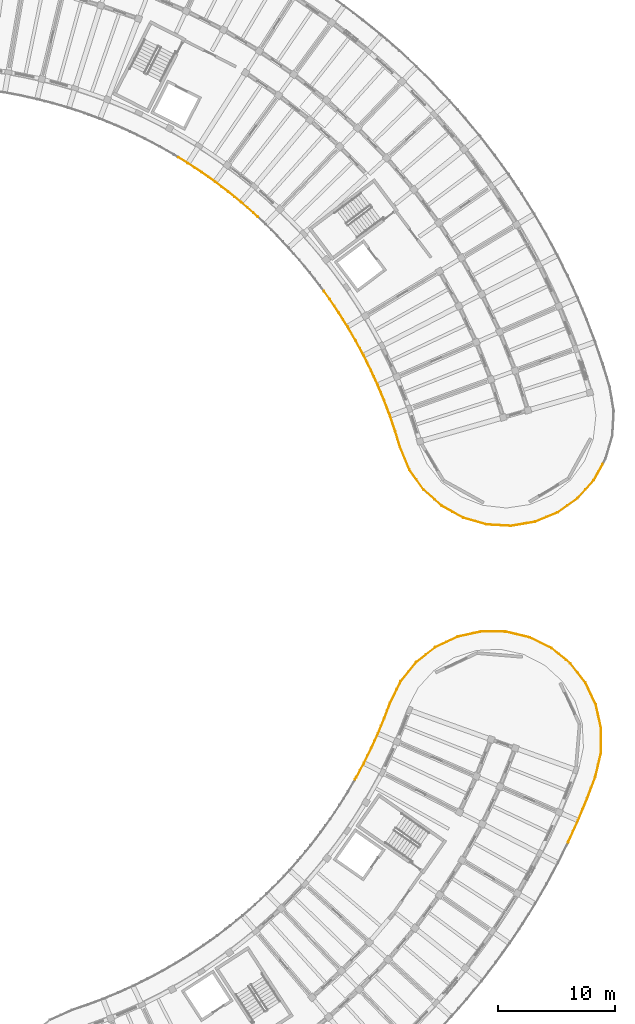
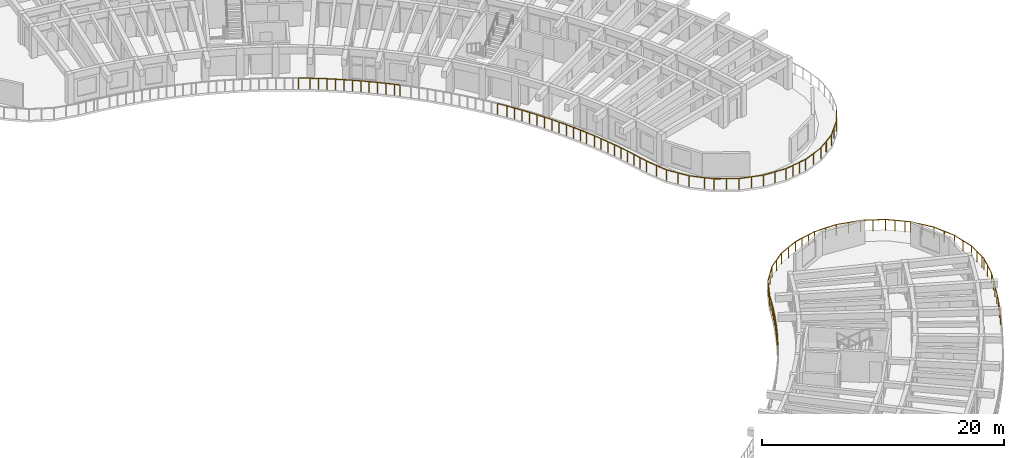
# One storey, part 74 of 78: 11 railings.
"""IFC4 building model written with IfcOpenShell, lengths in metres."""

from ifc_helpers import new_model, si_unit, direction, frame, origin, origin_2d, place, context, subcontext, project, spatial, circle, extrude, material, type_object, element, save


model = new_model("IFC4")

# Units and contexts
model_context = context("Model", 3, precision=1e-05, world=origin(), true_north=direction((0.0, 1.0)))
body_context = subcontext(model_context, "Body", "Model", "MODEL_VIEW")
ifc_project = project(units=[si_unit("LENGTHUNIT", "METRE"), si_unit("AREAUNIT", "SQUARE_METRE"), si_unit("VOLUMEUNIT", "CUBIC_METRE"), si_unit("PLANEANGLEUNIT", "RADIAN"), si_unit("MASSUNIT", "GRAM", prefix="KILO")], contexts=[model_context])

# Site, building, storey
site_placement = place(None, origin())
site = spatial("IfcSite", under=ifc_project, at=site_placement, CompositionType="ELEMENT")
building_placement = place(site_placement, origin())
building = spatial("IfcBuilding", under=site, at=building_placement, Name="Tanwirah Colonnade Gardens", CompositionType="ELEMENT")
storey_placement = place(building_placement, frame((0.0, 0.0, 22.280029296875)))
storey = spatial("IfcBuildingStorey", under=building, at=storey_placement, Name="L06", CompositionType="ELEMENT", Elevation=22.280029296875)

# Railings
ifc_material = material(Name="Precast concrete C40/50", Category="concrete")
railing_type_1 = type_object("IfcRailingType", Name="BAL-EXT110", PredefinedType="BALUSTRADE", material=ifc_material)
railing_1_placement = place(storey_placement, frame((158.178466796875, 43.545654296875, 0.0)))
element("IfcRailing", 1, at=railing_1_placement, inside=storey, type_object=railing_type_1, Name="Block D L06 Balcony Ribbon Balustrade 5", PredefinedType="BALUSTRADE", context=body_context, shape_type="SweptSolid", body=[
    extrude(circle(Radius=0.02392578125, at=origin_2d()), frame((0.015625, 0.027099609375, 1.076171875), z_axis=(0.501683005356, 0.865051537272, 0.0), x_axis=(-0.865051537272, 0.501683005356, 0.0)), (0.0, 0.0, 1.0), 0.145751953125),
    extrude(circle(Radius=0.02392578125, at=origin_2d()), frame((0.120361328125, 0.2099609375, 1.076171875), z_axis=(0.472323466806, 0.881425290484, 0.0), x_axis=(-0.881425290484, 0.472323466806, 0.0)), (0.0, 0.0, 1.0), 1.33154296875),
    extrude(circle(Radius=0.02392578125, at=origin_2d()), frame((0.779296875, 1.441650390625, 1.076171875), z_axis=(0.443286097627, 0.896380184771, 0.0), x_axis=(-0.896380184771, 0.443286097627, 0.0)), (0.0, 0.0, 1.0), 1.33154296875),
    extrude(circle(Radius=0.02392578125, at=origin_2d()), frame((1.3974609375, 2.694091796875, 1.076171875), z_axis=(0.413697373423, 0.91041445684, 0.0), x_axis=(-0.91041445684, 0.413697373423, 0.0)), (0.0, 0.0, 1.0), 1.331298828125),
    extrude(circle(Radius=0.02392578125, at=origin_2d()), frame((1.97412109375, 3.9658203125, 1.076171875), z_axis=(0.383707429873, 0.923454713703, 0.0), x_axis=(-0.923454713703, 0.383707429873, 0.0)), (0.0, 0.0, 1.0), 1.33154296875),
    extrude(circle(Radius=0.02392578125, at=origin_2d()), frame((2.509033203125, 5.256103515625, 1.076171875), z_axis=(0.353181976467, 0.93555464378, 0.0), x_axis=(-0.93555464378, 0.353181976467, 0.0)), (0.0, 0.0, 1.0), 1.32763671875),
    extrude(circle(Radius=0.02392578125, at=origin_2d()), frame((3.0029296875, 6.555419921875, 1.076171875), z_axis=(0.44125089624, 0.897383778863, 0.0), x_axis=(-0.897383778863, 0.44125089624, 0.0)), (0.0, 0.0, 1.0), 1.25),
    extrude(circle(Radius=0.02099609375, at=origin_2d()), origin(), (0.0, 0.0, 1.0), 1.049072265625),
    extrude(circle(Radius=0.02099609375, at=origin_2d()), frame((0.1044921875, 0.18017578125, 0.0)), (0.0, 0.0, 1.0), 1.049072265625),
    extrude(circle(Radius=0.02099609375, at=origin_2d()), frame((0.43505859375, 0.796875, 0.0)), (0.0, 0.0, 1.0), 1.049072265625),
    extrude(circle(Radius=0.02099609375, at=origin_2d()), frame((0.76416015625, 1.4111328125, 0.0)), (0.0, 0.0, 1.0), 1.049072265625),
    extrude(circle(Radius=0.02099609375, at=origin_2d()), frame((1.07421875, 2.038330078125, 0.0)), (0.0, 0.0, 1.0), 1.049072265625),
    extrude(circle(Radius=0.02099609375, at=origin_2d()), frame((1.38330078125, 2.6630859375, 0.0)), (0.0, 0.0, 1.0), 1.049072265625),
    extrude(circle(Radius=0.02099609375, at=origin_2d()), frame((1.6728515625, 3.300048828125, 0.0)), (0.0, 0.0, 1.0), 1.049072265625),
    extrude(circle(Radius=0.02099609375, at=origin_2d()), frame((1.961181640625, 3.9345703125, 0.0)), (0.0, 0.0, 1.0), 1.049072265625),
    extrude(circle(Radius=0.02099609375, at=origin_2d()), frame((2.2294921875, 4.58056640625, 0.0)), (0.0, 0.0, 1.0), 1.049072265625),
    extrude(circle(Radius=0.02099609375, at=origin_2d()), frame((2.4970703125, 5.224365234375, 0.0)), (0.0, 0.0, 1.0), 1.049072265625),
    extrude(circle(Radius=0.02099609375, at=origin_2d()), frame((2.74365234375, 5.876953125, 0.0)), (0.0, 0.0, 1.0), 1.049072265625),
    extrude(circle(Radius=0.02099609375, at=origin_2d()), frame((2.989013671875, 6.52734375, 0.0)), (0.0, 0.0, 1.0), 1.049072265625),
    extrude(circle(Radius=0.02099609375, at=origin_2d()), frame((3.568115234375, 7.705078125, 0.0)), (0.0, 0.0, 1.0), 1.049072265625),
])
railing_2_placement = place(storey_placement, frame((161.74658203125, 51.250732421875, 0.0)))
element("IfcRailing", 2, at=railing_2_placement, inside=storey, type_object=railing_type_1, Name="Block D L06 Balcony Ribbon Balustrade 6", PredefinedType="BALUSTRADE", context=body_context, shape_type="SweptSolid", body=[
    extrude(circle(Radius=0.02392578125, at=origin_2d()), frame((0.013671875, 0.028076171875, 1.076171875), z_axis=(0.441191514806, 0.897412974758, 0.0), x_axis=(-0.897412974758, 0.441191514806, 0.0)), (0.0, 0.0, 1.0), 0.71728515625),
    extrude(circle(Radius=0.02392578125, at=origin_2d()), frame((0.36376953125, 0.723876953125, 1.076171875), z_axis=(0.629803866287, 0.776754201798, 0.0), x_axis=(-0.776754201798, 0.629803866287, 0.0)), (0.0, 0.0, 1.0), 2.024169921875),
    extrude(circle(Radius=0.02392578125, at=origin_2d()), frame((1.682861328125, 2.33984375, 1.076171875), z_axis=(0.786813317516, 0.617191059057, 0.0), x_axis=(-0.617191059057, 0.786813317516, 0.0)), (0.0, 0.0, 1.0), 2.0244140625),
    extrude(circle(Radius=0.02392578125, at=origin_2d()), frame((3.32861328125, 3.6220703125, 1.076171875), z_axis=(0.904484386401, 0.426506734715, 0.0), x_axis=(-0.426506734715, 0.904484386401, 0.0)), (0.0, 0.0, 1.0), 2.0244140625),
    extrude(circle(Radius=0.02392578125, at=origin_2d()), frame((5.218505859375, 4.50537109375, 1.076171875), z_axis=(0.976699893603, 0.214609687188, 0.0), x_axis=(-0.214609687188, 0.976699893603, 0.0)), (0.0, 0.0, 1.0), 1.39697265625),
    extrude(circle(Radius=0.02099609375, at=origin_2d()), origin(), (0.0, 0.0, 1.0), 1.049072265625),
    extrude(circle(Radius=0.02099609375, at=origin_2d()), frame((0.343994140625, 0.69970703125, 0.0)), (0.0, 0.0, 1.0), 1.049072265625),
    extrude(circle(Radius=0.02099609375, at=origin_2d()), frame((1.0009765625, 1.51025390625, 0.0)), (0.0, 0.0, 1.0), 1.049072265625),
    extrude(circle(Radius=0.02099609375, at=origin_2d()), frame((1.658203125, 2.320556640625, 0.0)), (0.0, 0.0, 1.0), 1.049072265625),
    extrude(circle(Radius=0.02099609375, at=origin_2d()), frame((2.479248046875, 2.964599609375, 0.0)), (0.0, 0.0, 1.0), 1.049072265625),
    extrude(circle(Radius=0.02099609375, at=origin_2d()), frame((3.30029296875, 3.608642578125, 0.0)), (0.0, 0.0, 1.0), 1.049072265625),
    extrude(circle(Radius=0.02099609375, at=origin_2d()), frame((4.244140625, 4.0537109375, 0.0)), (0.0, 0.0, 1.0), 1.049072265625),
    extrude(circle(Radius=0.02099609375, at=origin_2d()), frame((5.18798828125, 4.498779296875, 0.0)), (0.0, 0.0, 1.0), 1.049072265625),
    extrude(circle(Radius=0.02099609375, at=origin_2d()), frame((5.90087890625, 4.6552734375, 0.0)), (0.0, 0.0, 1.0), 1.049072265625),
    extrude(circle(Radius=0.02099609375, at=origin_2d()), frame((6.613525390625, 4.81201171875, 0.0)), (0.0, 0.0, 1.0), 1.049072265625),
])
railing_3_placement = place(storey_placement, frame((168.360107421875, 56.062744140625, 0.0)))
element("IfcRailing", 3, at=railing_3_placement, inside=storey, type_object=railing_type_1, Name="Block D L06 Balcony Ribbon Balustrade 7", PredefinedType="BALUSTRADE", context=body_context, shape_type="SweptSolid", body=[
    extrude(circle(Radius=0.02392578125, at=origin_2d()), frame((0.030517578125, 0.006591796875, 1.076171875), z_axis=(0.976742355466, 0.214416349746, 0.0), x_axis=(-0.214416349746, 0.976742355466, 0.0)), (0.0, 0.0, 1.0), 0.56494140625),
    extrude(circle(Radius=0.02392578125, at=origin_2d()), frame((0.64404296875, 0.13427734375, 1.076171875), z_axis=(0.999967414863, -0.008072745013, 0.0), x_axis=(0.008072745013, 0.999967414863, 0.0)), (0.0, 0.0, 1.0), 2.024169921875),
    extrude(circle(Radius=0.02392578125, at=origin_2d()), frame((2.72998046875, 0.110595703125, 1.076171875), z_axis=(0.973107897392, -0.230349777586, 0.0), x_axis=(0.230349777586, 0.973107897392, 0.0)), (0.0, 0.0, 1.0), 2.0244140625),
    extrude(circle(Radius=0.02392578125, at=origin_2d()), frame((4.75830078125, -0.376953125, 1.076171875), z_axis=(0.897378823962, -0.441260973013, 0.0), x_axis=(0.441260973013, 0.897378823962, 0.0)), (0.0, 0.0, 1.0), 2.0244140625),
    extrude(circle(Radius=0.02392578125, at=origin_2d()), frame((6.627197265625, -1.3037109375, 1.076171875), z_axis=(0.77680380567, -0.629742683559, 0.0), x_axis=(0.629742683559, 0.77680380567, 0.0)), (0.0, 0.0, 1.0), 1.549560546875),
    extrude(circle(Radius=0.02099609375, at=origin_2d()), origin(), (0.0, 0.0, 1.0), 1.049072265625),
    extrude(circle(Radius=0.02099609375, at=origin_2d()), frame((0.61279296875, 0.134521484375, 0.0)), (0.0, 0.0, 1.0), 1.049072265625),
    extrude(circle(Radius=0.02099609375, at=origin_2d()), frame((1.65625, 0.1259765625, 0.0)), (0.0, 0.0, 1.0), 1.049072265625),
    extrude(circle(Radius=0.02099609375, at=origin_2d()), frame((2.699462890625, 0.11767578125, 0.0)), (0.0, 0.0, 1.0), 1.049072265625),
    extrude(circle(Radius=0.02099609375, at=origin_2d()), frame((3.71484375, -0.12255859375, 0.0)), (0.0, 0.0, 1.0), 1.049072265625),
    extrude(circle(Radius=0.02099609375, at=origin_2d()), frame((4.730224609375, -0.363037109375, 0.0)), (0.0, 0.0, 1.0), 1.049072265625),
    extrude(circle(Radius=0.02099609375, at=origin_2d()), frame((5.66650390625, -0.823486328125, 0.0)), (0.0, 0.0, 1.0), 1.049072265625),
    extrude(circle(Radius=0.02099609375, at=origin_2d()), frame((6.60302734375, -1.283935546875, 0.0)), (0.0, 0.0, 1.0), 1.049072265625),
    extrude(circle(Radius=0.02099609375, at=origin_2d()), frame((7.22900390625, -1.79150390625, 0.0)), (0.0, 0.0, 1.0), 1.049072265625),
    extrude(circle(Radius=0.02099609375, at=origin_2d()), frame((7.855224609375, -2.299072265625, 0.0)), (0.0, 0.0, 1.0), 1.049072265625),
])
railing_4_placement = place(storey_placement, frame((176.21533203125, 53.763671875, 0.0)))
element("IfcRailing", 4, at=railing_4_placement, inside=storey, type_object=railing_type_1, Name="Block D L06 Balcony Ribbon Balustrade 8", PredefinedType="BALUSTRADE", context=body_context, shape_type="SweptSolid", body=[
    extrude(circle(Radius=0.02392578125, at=origin_2d()), frame((0.024169921875, -0.019775390625, 1.076171875), z_axis=(0.776789733254, -0.62976004185, 0.0), x_axis=(0.62976004185, 0.776789733254, 0.0)), (0.0, 0.0, 1.0), 0.412353515625),
    extrude(circle(Radius=0.02392578125, at=origin_2d()), frame((0.38818359375, -0.32373046875, 1.076171875), z_axis=(0.617118631259, -0.786870125848, 0.0), x_axis=(0.786870125848, 0.617118631259, 0.0)), (0.0, 0.0, 1.0), 2.0244140625),
    extrude(circle(Radius=0.02392578125, at=origin_2d()), frame((1.670166015625, -1.969482421875, 1.076171875), z_axis=(0.426551865932, -0.904463103543, 0.0), x_axis=(0.904463103543, 0.426551865932, 0.0)), (0.0, 0.0, 1.0), 2.0244140625),
    extrude(circle(Radius=0.02392578125, at=origin_2d()), frame((2.553466796875, -3.859130859375, 1.076171875), z_axis=(0.214663162135, -0.976688142051, 0.0), x_axis=(0.976688142051, 0.214663162135, 0.0)), (0.0, 0.0, 1.0), 2.0244140625),
    extrude(circle(Radius=0.02392578125, at=origin_2d()), frame((2.99462890625, -5.898193359375, 1.076171875), z_axis=(-0.008163558043, -0.999966677605, 0.0), x_axis=(0.999966677605, -0.008163558043, 0.0)), (0.0, 0.0, 1.0), 1.701904296875),
    extrude(circle(Radius=0.02099609375, at=origin_2d()), origin(), (0.0, 0.0, 1.0), 1.049072265625),
    extrude(circle(Radius=0.02099609375, at=origin_2d()), frame((0.368896484375, -0.299072265625, 0.0)), (0.0, 0.0, 1.0), 1.049072265625),
    extrude(circle(Radius=0.02099609375, at=origin_2d()), frame((1.0126953125, -1.1201171875, 0.0)), (0.0, 0.0, 1.0), 1.049072265625),
    extrude(circle(Radius=0.02099609375, at=origin_2d()), frame((1.65673828125, -1.941162109375, 0.0)), (0.0, 0.0, 1.0), 1.049072265625),
    extrude(circle(Radius=0.02099609375, at=origin_2d()), frame((2.101806640625, -2.884765625, 0.0)), (0.0, 0.0, 1.0), 1.049072265625),
    extrude(circle(Radius=0.02099609375, at=origin_2d()), frame((2.546875, -3.82861328125, 0.0)), (0.0, 0.0, 1.0), 1.049072265625),
    extrude(circle(Radius=0.02099609375, at=origin_2d()), frame((2.77099609375, -4.84765625, 0.0)), (0.0, 0.0, 1.0), 1.049072265625),
    extrude(circle(Radius=0.02099609375, at=origin_2d()), frame((2.994873046875, -5.866943359375, 0.0)), (0.0, 0.0, 1.0), 1.049072265625),
    extrude(circle(Radius=0.02099609375, at=origin_2d()), frame((2.98779296875, -6.7490234375, 0.0)), (0.0, 0.0, 1.0), 1.049072265625),
    extrude(circle(Radius=0.02099609375, at=origin_2d()), frame((2.98046875, -7.63134765625, 0.0)), (0.0, 0.0, 1.0), 1.049072265625),
])
railing_5_placement = place(storey_placement, frame((179.19580078125, 46.13232421875, 0.0)))
element("IfcRailing", 5, at=railing_5_placement, inside=storey, type_object=railing_type_1, Name="Block D L06 Balcony Ribbon Balustrade 9", PredefinedType="BALUSTRADE", context=body_context, shape_type="SweptSolid", body=[
    extrude(circle(Radius=0.02392578125, at=origin_2d()), frame((-0.000244140625, -0.03125, 1.076171875), z_axis=(-0.007569805818, -0.999971348609, 0.0), x_axis=(0.999971348609, -0.007569805818, 0.0)), (0.0, 0.0, 1.0), 0.260009765625),
    extrude(circle(Radius=0.02392578125, at=origin_2d()), frame((-0.009765625, -0.35302734375, 1.076171875), z_axis=(-0.230399457167, -0.973096136123, 0.0), x_axis=(0.973096136123, -0.230399457167, 0.0)), (0.0, 0.0, 1.0), 2.028076171875),
    extrude(circle(Radius=0.02392578125, at=origin_2d()), frame((-0.4951171875, -2.38623046875, 1.076171875), z_axis=(-0.353246485445, -0.935530288404, 0.0), x_axis=(0.935530288404, -0.353246485445, 0.0)), (0.0, 0.0, 1.0), 1.9404296875),
    extrude(circle(Radius=0.02392578125, at=origin_2d()), frame((-1.20361328125, -4.259521484375, 1.076171875), z_axis=(-0.383777149523, -0.923425741196, 0.0), x_axis=(0.923425741196, -0.383777149523, 0.0)), (0.0, 0.0, 1.0), 1.94384765625),
    extrude(circle(Radius=0.02392578125, at=origin_2d()), frame((-1.974609375, -6.112060546875, 1.076171875), z_axis=(-0.413665439989, -0.910428966893, 0.0), x_axis=(0.910428966893, -0.413665439989, 0.0)), (0.0, 0.0, 1.0), 1.944091796875),
    extrude(circle(Radius=0.02392578125, at=origin_2d()), frame((-2.8056640625, -7.9384765625, 1.076171875), z_axis=(-0.444455160923, -0.895801099535, 0.0), x_axis=(0.895801099535, -0.444455160923, 0.0)), (0.0, 0.0, 1.0), 0.00830078125),
    extrude(circle(Radius=0.02099609375, at=origin_2d()), origin(), (0.0, 0.0, 1.0), 1.049072265625),
    extrude(circle(Radius=0.02099609375, at=origin_2d()), frame((-0.00244140625, -0.322509765625, 0.0)), (0.0, 0.0, 1.0), 1.049072265625),
    extrude(circle(Radius=0.02099609375, at=origin_2d()), frame((-0.2431640625, -1.33984375, 0.0)), (0.0, 0.0, 1.0), 1.049072265625),
    extrude(circle(Radius=0.02099609375, at=origin_2d()), frame((-0.484130859375, -2.35693359375, 0.0)), (0.0, 0.0, 1.0), 1.049072265625),
    extrude(circle(Radius=0.02099609375, at=origin_2d()), frame((-0.837890625, -3.2939453125, 0.0)), (0.0, 0.0, 1.0), 1.049072265625),
    extrude(circle(Radius=0.02099609375, at=origin_2d()), frame((-1.191650390625, -4.230712890625, 0.0)), (0.0, 0.0, 1.0), 1.049072265625),
    extrude(circle(Radius=0.02099609375, at=origin_2d()), frame((-1.57666015625, -5.1572265625, 0.0)), (0.0, 0.0, 1.0), 1.049072265625),
    extrude(circle(Radius=0.02099609375, at=origin_2d()), frame((-1.961669921875, -6.08349609375, 0.0)), (0.0, 0.0, 1.0), 1.049072265625),
    extrude(circle(Radius=0.02099609375, at=origin_2d()), frame((-2.376708984375, -6.9970703125, 0.0)), (0.0, 0.0, 1.0), 1.049072265625),
    extrude(circle(Radius=0.02099609375, at=origin_2d()), frame((-2.791748046875, -7.910400390625, 0.0)), (0.0, 0.0, 1.0), 1.049072265625),
    extrude(circle(Radius=0.02099609375, at=origin_2d()), frame((-2.8232421875, -7.973876953125, 0.0)), (0.0, 0.0, 1.0), 1.049072265625),
])
railing_type_2 = type_object("IfcRailingType", Name="BAL-EXT112", PredefinedType="BALUSTRADE", material=ifc_material)
railing_6_placement = place(storey_placement, frame((162.8232421875, 70.035400390625, 0.0)))
element("IfcRailing", 6, at=railing_6_placement, inside=storey, type_object=railing_type_2, Name="Block B L06 Balcony Ribbon Balustrade 1", PredefinedType="BALUSTRADE", context=body_context, shape_type="SweptSolid", body=[
    extrude(circle(Radius=0.02392578125, at=origin_2d()), frame((-0.011962890625, 0.02880859375, 1.09619140625), z_axis=(-0.381489237895, 0.92437328032, 0.0), x_axis=(-0.92437328032, -0.381489237895, 0.0)), (0.0, 0.0, 1.0), 2.029541015625),
    extrude(circle(Radius=0.02392578125, at=origin_2d()), frame((-0.80712890625, 1.963623046875, 1.09619140625), z_axis=(-0.29148764702, 0.956574592823, 0.0), x_axis=(-0.956574592823, -0.29148764702, 0.0)), (0.0, 0.0, 1.0), 1.337890625),
    extrude(circle(Radius=0.02392578125, at=origin_2d()), frame((-1.217041015625, 3.305419921875, 1.09619140625), z_axis=(-0.322790719453, 0.946470364795, 0.0), x_axis=(-0.946470364795, -0.322790719453, 0.0)), (0.0, 0.0, 1.0), 1.342041015625),
    extrude(circle(Radius=0.02392578125, at=origin_2d()), frame((-1.67236328125, 4.636962890625, 1.09619140625), z_axis=(-0.353789339155, 0.935325132508, 0.0), x_axis=(-0.935325132508, -0.353789339155, 0.0)), (0.0, 0.0, 1.0), 1.341796875),
    extrude(circle(Radius=0.02392578125, at=origin_2d()), frame((-2.171142578125, 5.952392578125, 1.09619140625), z_axis=(-0.384541319971, 0.923107779858, 0.0), x_axis=(-0.923107779858, -0.384541319971, 0.0)), (0.0, 0.0, 1.0), 1.341796875),
    extrude(circle(Radius=0.02392578125, at=origin_2d()), frame((-2.713134765625, 7.2509765625, 1.09619140625), z_axis=(-0.414647740507, 0.909982006027, 0.0), x_axis=(-0.909982006027, -0.414647740507, 0.0)), (0.0, 0.0, 1.0), 0.72119140625),
    extrude(circle(Radius=0.02099609375, at=origin_2d()), origin(), (0.0, 0.0, 1.0), 1.069091796875),
    extrude(circle(Radius=0.02099609375, at=origin_2d()), frame((-0.39892578125, 0.966796875, 0.0)), (0.0, 0.0, 1.0), 1.069091796875),
    extrude(circle(Radius=0.02099609375, at=origin_2d()), frame((-0.798095703125, 1.933837890625, 0.0)), (0.0, 0.0, 1.0), 1.069091796875),
    extrude(circle(Radius=0.02099609375, at=origin_2d()), frame((-1.002197265625, 2.603515625, 0.0)), (0.0, 0.0, 1.0), 1.069091796875),
    extrude(circle(Radius=0.02099609375, at=origin_2d()), frame((-1.206298828125, 3.2734375, 0.0)), (0.0, 0.0, 1.0), 1.069091796875),
    extrude(circle(Radius=0.02099609375, at=origin_2d()), frame((-1.43359375, 3.9404296875, 0.0)), (0.0, 0.0, 1.0), 1.069091796875),
    extrude(circle(Radius=0.02099609375, at=origin_2d()), frame((-1.660400390625, 4.605224609375, 0.0)), (0.0, 0.0, 1.0), 1.069091796875),
    extrude(circle(Radius=0.02099609375, at=origin_2d()), frame((-1.90966796875, 5.264404296875, 0.0)), (0.0, 0.0, 1.0), 1.069091796875),
    extrude(circle(Radius=0.02099609375, at=origin_2d()), frame((-2.158203125, 5.921142578125, 0.0)), (0.0, 0.0, 1.0), 1.069091796875),
    extrude(circle(Radius=0.02099609375, at=origin_2d()), frame((-2.42919921875, 6.57177734375, 0.0)), (0.0, 0.0, 1.0), 1.069091796875),
    extrude(circle(Radius=0.02099609375, at=origin_2d()), frame((-2.69921875, 7.219970703125, 0.0)), (0.0, 0.0, 1.0), 1.069091796875),
    extrude(circle(Radius=0.02099609375, at=origin_2d()), frame((-3.025146484375, 7.935546875, 0.0)), (0.0, 0.0, 1.0), 1.069091796875),
])
railing_7_placement = place(storey_placement, frame((159.798095703125, 77.970947265625, 0.0)))
element("IfcRailing", 7, at=railing_7_placement, inside=storey, type_object=railing_type_2, Name="Block B L06 Balcony Ribbon Balustrade 2", PredefinedType="BALUSTRADE", context=body_context, shape_type="SweptSolid", body=[
    extrude(circle(Radius=0.02392578125, at=origin_2d()), frame((-0.012939453125, 0.028564453125, 1.09619140625), z_axis=(-0.414662350761, 0.909975348491, 0.0), x_axis=(-0.909975348491, -0.414662350761, 0.0)), (0.0, 0.0, 1.0), 0.55810546875),
    extrude(circle(Radius=0.02392578125, at=origin_2d()), frame((-0.2724609375, 0.59521484375, 1.09619140625), z_axis=(-0.444499692011, 0.895779003885, 0.0), x_axis=(-0.895779003885, -0.444499692011, 0.0)), (0.0, 0.0, 1.0), 1.341796875),
    extrude(circle(Radius=0.02392578125, at=origin_2d()), frame((-0.89892578125, 1.85498046875, 1.09619140625), z_axis=(-0.473716211853, 0.880677552018, 0.0), x_axis=(-0.880677552018, -0.473716211853, 0.0)), (0.0, 0.0, 1.0), 1.341796875),
    extrude(circle(Radius=0.02392578125, at=origin_2d()), frame((-1.566162109375, 3.093505859375, 1.09619140625), z_axis=(-0.502378729104, 0.864647681165, 0.0), x_axis=(-0.864647681165, -0.502378729104, 0.0)), (0.0, 0.0, 1.0), 1.342041015625),
    extrude(circle(Radius=0.02392578125, at=origin_2d()), frame((-2.274169921875, 4.3095703125, 1.09619140625), z_axis=(-0.530764445851, 0.847519382091, 0.0), x_axis=(-0.847519382091, -0.530764445851, 0.0)), (0.0, 0.0, 1.0), 1.341796875),
    extrude(circle(Radius=0.02392578125, at=origin_2d()), frame((-3.02197265625, 5.501220703125, 1.09619140625), z_axis=(-0.558385571779, 0.829581553091, 0.0), x_axis=(-0.829581553091, -0.558385571779, 0.0)), (0.0, 0.0, 1.0), 1.341796875),
    extrude(circle(Radius=0.02392578125, at=origin_2d()), frame((-3.808349609375, 6.66796875, 1.09619140625), z_axis=(-0.585427031638, 0.810725101763, 0.0), x_axis=(-0.810725101763, -0.585427031638, 0.0)), (0.0, 0.0, 1.0), 0.779541015625),
    extrude(circle(Radius=0.02099609375, at=origin_2d()), origin(), (0.0, 0.0, 1.0), 1.069091796875),
    extrude(circle(Radius=0.02099609375, at=origin_2d()), frame((-0.25732421875, 0.564697265625, 0.0)), (0.0, 0.0, 1.0), 1.069091796875),
    extrude(circle(Radius=0.02099609375, at=origin_2d()), frame((-0.57080078125, 1.1962890625, 0.0)), (0.0, 0.0, 1.0), 1.069091796875),
    extrude(circle(Radius=0.02099609375, at=origin_2d()), frame((-0.8828125, 1.8251953125, 0.0)), (0.0, 0.0, 1.0), 1.069091796875),
    extrude(circle(Radius=0.02099609375, at=origin_2d()), frame((-1.216796875, 2.44580078125, 0.0)), (0.0, 0.0, 1.0), 1.069091796875),
    extrude(circle(Radius=0.02099609375, at=origin_2d()), frame((-1.54931640625, 3.064208984375, 0.0)), (0.0, 0.0, 1.0), 1.069091796875),
    extrude(circle(Radius=0.02099609375, at=origin_2d()), frame((-1.9033203125, 3.673583984375, 0.0)), (0.0, 0.0, 1.0), 1.069091796875),
    extrude(circle(Radius=0.02099609375, at=origin_2d()), frame((-2.256103515625, 4.28076171875, 0.0)), (0.0, 0.0, 1.0), 1.069091796875),
    extrude(circle(Radius=0.02099609375, at=origin_2d()), frame((-2.63037109375, 4.8779296875, 0.0)), (0.0, 0.0, 1.0), 1.069091796875),
    extrude(circle(Radius=0.02099609375, at=origin_2d()), frame((-3.0029296875, 5.47314453125, 0.0)), (0.0, 0.0, 1.0), 1.069091796875),
    extrude(circle(Radius=0.02099609375, at=origin_2d()), frame((-3.396484375, 6.057861328125, 0.0)), (0.0, 0.0, 1.0), 1.069091796875),
    extrude(circle(Radius=0.02099609375, at=origin_2d()), frame((-3.78857421875, 6.640380859375, 0.0)), (0.0, 0.0, 1.0), 1.069091796875),
    extrude(circle(Radius=0.02099609375, at=origin_2d()), frame((-4.282958984375, 7.3251953125, 0.0)), (0.0, 0.0, 1.0), 1.069091796875),
])
railing_8_placement = place(storey_placement, frame((149.86767578125, 91.62890625, 0.0)))
element("IfcRailing", 8, at=railing_8_placement, inside=storey, type_object=railing_type_2, Name="Block B L06 Balcony Ribbon Balustrade 4", PredefinedType="BALUSTRADE", context=body_context, shape_type="SweptSolid", body=[
    extrude(circle(Radius=0.02392578125, at=origin_2d()), frame((-0.02294921875, 0.021240234375, 1.09619140625), z_axis=(-0.733224282582, 0.679986875926, 0.0), x_axis=(-0.679986875926, -0.733224282582, 0.0)), (0.0, 0.0, 1.0), 0.44189453125),
    extrude(circle(Radius=0.02392578125, at=origin_2d()), frame((-0.3955078125, 0.365234375, 1.09619140625), z_axis=(-0.755402192857, 0.655261418845, 0.0), x_axis=(-0.655261418845, -0.755402192857, 0.0)), (0.0, 0.0, 1.0), 1.341796875),
    extrude(circle(Radius=0.02392578125, at=origin_2d()), frame((-1.458740234375, 1.286376953125, 1.09619140625), z_axis=(-0.776491375378, 0.630127879056, 0.0), x_axis=(-0.630127879056, -0.776491375378, 0.0)), (0.0, 0.0, 1.0), 1.342041015625),
    extrude(circle(Radius=0.02392578125, at=origin_2d()), frame((-2.552001953125, 2.171875, 1.09619140625), z_axis=(-0.796818244666, 0.604219070344, 0.0), x_axis=(-0.604219070344, -0.796818244666, 0.0)), (0.0, 0.0, 1.0), 1.342041015625),
    extrude(circle(Radius=0.02392578125, at=origin_2d()), frame((-3.674072265625, 3.021240234375, 1.09619140625), z_axis=(-0.816321661452, 0.577597563226, 0.0), x_axis=(-0.577597563226, -0.816321661452, 0.0)), (0.0, 0.0, 1.0), 1.341552734375),
    extrude(circle(Radius=0.02392578125, at=origin_2d()), frame((-4.822998046875, 3.832763671875, 1.09619140625), z_axis=(-0.834927342507, 0.550360184547, 0.0), x_axis=(-0.550360184547, -0.834927342507, 0.0)), (0.0, 0.0, 1.0), 1.341796875),
    extrude(circle(Radius=0.02392578125, at=origin_2d()), frame((-5.998291015625, 4.606201171875, 1.09619140625), z_axis=(-0.852645184943, 0.522490371771, 0.0), x_axis=(-0.522490371771, -0.852645184943, 0.0)), (0.0, 0.0, 1.0), 0.895751953125),
    extrude(circle(Radius=0.02099609375, at=origin_2d()), origin(), (0.0, 0.0, 1.0), 1.069091796875),
    extrude(circle(Radius=0.02099609375, at=origin_2d()), frame((-0.369873046875, 0.343017578125, 0.0)), (0.0, 0.0, 1.0), 1.069091796875),
    extrude(circle(Radius=0.02099609375, at=origin_2d()), frame((-0.90234375, 0.8046875, 0.0)), (0.0, 0.0, 1.0), 1.069091796875),
    extrude(circle(Radius=0.02099609375, at=origin_2d()), frame((-1.4326171875, 1.264892578125, 0.0)), (0.0, 0.0, 1.0), 1.069091796875),
    extrude(circle(Radius=0.02099609375, at=origin_2d()), frame((-1.97998046875, 1.708984375, 0.0)), (0.0, 0.0, 1.0), 1.069091796875),
    extrude(circle(Radius=0.02099609375, at=origin_2d()), frame((-2.525146484375, 2.151611328125, 0.0)), (0.0, 0.0, 1.0), 1.069091796875),
    extrude(circle(Radius=0.02099609375, at=origin_2d()), frame((-3.086669921875, 2.577392578125, 0.0)), (0.0, 0.0, 1.0), 1.069091796875),
    extrude(circle(Radius=0.02099609375, at=origin_2d()), frame((-3.646240234375, 3.001708984375, 0.0)), (0.0, 0.0, 1.0), 1.069091796875),
    extrude(circle(Radius=0.02099609375, at=origin_2d()), frame((-4.2216796875, 3.40869140625, 0.0)), (0.0, 0.0, 1.0), 1.069091796875),
    extrude(circle(Radius=0.02099609375, at=origin_2d()), frame((-4.794677734375, 3.814208984375, 0.0)), (0.0, 0.0, 1.0), 1.069091796875),
    extrude(circle(Radius=0.02099609375, at=origin_2d()), frame((-5.38330078125, 4.2021484375, 0.0)), (0.0, 0.0, 1.0), 1.069091796875),
    extrude(circle(Radius=0.02099609375, at=origin_2d()), frame((-5.969482421875, 4.588623046875, 0.0)), (0.0, 0.0, 1.0), 1.069091796875),
    extrude(circle(Radius=0.02099609375, at=origin_2d()), frame((-6.788818359375, 5.090576171875, 0.0)), (0.0, 0.0, 1.0), 1.069091796875),
])
railing_9_placement = place(storey_placement, frame((179.34326171875, 70.508544921875, 0.0)))
element("IfcRailing", 9, at=railing_9_placement, inside=storey, type_object=railing_type_2, Name="Block B L06 Balcony Ribbon Balustrade 20", PredefinedType="BALUSTRADE", context=body_context, shape_type="SweptSolid", body=[
    extrude(circle(Radius=0.02392578125, at=origin_2d()), frame((-0.01513671875, -0.02734375, 1.09619140625), z_axis=(-0.484813654045, -0.874617471156, 0.0), x_axis=(0.874617471156, -0.484813654045, 0.0)), (0.0, 0.0, 1.0), 1.5126953125),
    extrude(circle(Radius=0.02392578125, at=origin_2d()), frame((-0.784423828125, -1.40087890625, 1.09619140625), z_axis=(-0.667263194146, -0.744822012119, 0.0), x_axis=(0.744822012119, -0.667263194146, 0.0)), (0.0, 0.0, 1.0), 2.0244140625),
    extrude(circle(Radius=0.02392578125, at=origin_2d()), frame((-2.181884765625, -2.9501953125, 1.09619140625), z_axis=(-0.816286486525, -0.577647272924, 0.0), x_axis=(0.577647272924, -0.816286486525, 0.0)), (0.0, 0.0, 1.0), 2.0244140625),
    extrude(circle(Radius=0.02392578125, at=origin_2d()), frame((-3.888671875, -4.149658203125, 1.09619140625), z_axis=(-0.924362800533, -0.381514630115, 0.0), x_axis=(0.381514630115, -0.924362800533, 0.0)), (0.0, 0.0, 1.0), 2.024169921875),
    extrude(circle(Radius=0.02392578125, at=origin_2d()), frame((-5.819580078125, -4.93896484375, 1.09619140625), z_axis=(-0.9860941903, -0.166187387776, 0.0), x_axis=(0.166187387776, -0.9860941903, 0.0)), (0.0, 0.0, 1.0), 0.6015625),
    extrude(circle(Radius=0.02099609375, at=origin_2d()), origin(), (0.0, 0.0, 1.0), 1.069091796875),
    extrude(circle(Radius=0.02099609375, at=origin_2d()), frame((-0.3818359375, -0.68896484375, 0.0)), (0.0, 0.0, 1.0), 1.069091796875),
    extrude(circle(Radius=0.02099609375, at=origin_2d()), frame((-0.763671875, -1.377685546875, 0.0)), (0.0, 0.0, 1.0), 1.069091796875),
    extrude(circle(Radius=0.02099609375, at=origin_2d()), frame((-1.4599609375, -2.15478515625, 0.0)), (0.0, 0.0, 1.0), 1.069091796875),
    extrude(circle(Radius=0.02099609375, at=origin_2d()), frame((-2.15625, -2.93212890625, 0.0)), (0.0, 0.0, 1.0), 1.069091796875),
    extrude(circle(Radius=0.02099609375, at=origin_2d()), frame((-3.008056640625, -3.534912109375, 0.0)), (0.0, 0.0, 1.0), 1.069091796875),
    extrude(circle(Radius=0.02099609375, at=origin_2d()), frame((-3.85986328125, -4.1376953125, 0.0)), (0.0, 0.0, 1.0), 1.069091796875),
    extrude(circle(Radius=0.02099609375, at=origin_2d()), frame((-4.82421875, -4.53564453125, 0.0)), (0.0, 0.0, 1.0), 1.069091796875),
    extrude(circle(Radius=0.02099609375, at=origin_2d()), frame((-5.788818359375, -4.933837890625, 0.0)), (0.0, 0.0, 1.0), 1.069091796875),
    extrude(circle(Radius=0.02099609375, at=origin_2d()), frame((-6.443603515625, -5.044189453125, 0.0)), (0.0, 0.0, 1.0), 1.069091796875),
])
railing_10_placement = place(storey_placement, frame((172.899658203125, 65.46435546875, 0.0)))
element("IfcRailing", 10, at=railing_10_placement, inside=storey, type_object=railing_type_2, Name="Block B L06 Balcony Ribbon Balustrade 21", PredefinedType="BALUSTRADE", context=body_context, shape_type="SweptSolid", body=[
    extrude(circle(Radius=0.02392578125, at=origin_2d()), frame((-0.03076171875, -0.005126953125, 1.09619140625), z_axis=(-0.986081459766, -0.166262908389, 0.0), x_axis=(0.166262908389, -0.986081459766, 0.0)), (0.0, 0.0, 1.0), 1.3603515625),
    extrude(circle(Radius=0.02392578125, at=origin_2d()), frame((-1.434326171875, -0.23486328125, 1.09619140625), z_axis=(-0.998362374442, 0.057206374631, 0.0), x_axis=(-0.057206374631, -0.998362374442, 0.0)), (0.0, 0.0, 1.0), 2.0244140625),
    extrude(circle(Radius=0.02392578125, at=origin_2d()), frame((-3.5166015625, -0.1083984375, 1.09619140625), z_axis=(-0.960560153031, 0.278072279108, 0.0), x_axis=(-0.278072279108, -0.960560153031, 0.0)), (0.0, 0.0, 1.0), 2.0244140625),
    extrude(circle(Radius=0.02392578125, at=origin_2d()), frame((-5.5185546875, 0.478271484375, 1.09619140625), z_axis=(-0.874620424882, 0.484808325403, 0.0), x_axis=(-0.484808325403, -0.874620424882, 0.0)), (0.0, 0.0, 1.0), 2.0244140625),
    extrude(circle(Radius=0.02392578125, at=origin_2d()), frame((-7.339599609375, 1.49560546875, 1.09619140625), z_axis=(-0.744779587928, 0.667310546452, 0.0), x_axis=(-0.667310546452, -0.744779587928, 0.0)), (0.0, 0.0, 1.0), 0.753662109375),
    extrude(circle(Radius=0.02099609375, at=origin_2d()), origin(), (0.0, 0.0, 1.0), 1.069091796875),
    extrude(circle(Radius=0.02099609375, at=origin_2d()), frame((-0.70166015625, -0.1181640625, 0.0)), (0.0, 0.0, 1.0), 1.069091796875),
    extrude(circle(Radius=0.02099609375, at=origin_2d()), frame((-1.403076171875, -0.236572265625, 0.0)), (0.0, 0.0, 1.0), 1.069091796875),
    extrude(circle(Radius=0.02099609375, at=origin_2d()), frame((-2.44482421875, -0.1767578125, 0.0)), (0.0, 0.0, 1.0), 1.069091796875),
    extrude(circle(Radius=0.02099609375, at=origin_2d()), frame((-3.486572265625, -0.1171875, 0.0)), (0.0, 0.0, 1.0), 1.069091796875),
    extrude(circle(Radius=0.02099609375, at=origin_2d()), frame((-4.48876953125, 0.1728515625, 0.0)), (0.0, 0.0, 1.0), 1.069091796875),
    extrude(circle(Radius=0.02099609375, at=origin_2d()), frame((-5.4912109375, 0.463134765625, 0.0)), (0.0, 0.0, 1.0), 1.069091796875),
    extrude(circle(Radius=0.02099609375, at=origin_2d()), frame((-6.40380859375, 0.968994140625, 0.0)), (0.0, 0.0, 1.0), 1.069091796875),
    extrude(circle(Radius=0.02099609375, at=origin_2d()), frame((-7.31640625, 1.474853515625, 0.0)), (0.0, 0.0, 1.0), 1.069091796875),
    extrude(circle(Radius=0.02099609375, at=origin_2d()), frame((-7.92431640625, 2.01953125, 0.0)), (0.0, 0.0, 1.0), 1.069091796875),
])
railing_11_placement = place(storey_placement, frame((164.975341796875, 67.48388671875, 0.0)))
element("IfcRailing", 11, at=railing_11_placement, inside=storey, type_object=railing_type_2, Name="Block B L06 Balcony Ribbon Balustrade 22", PredefinedType="BALUSTRADE", context=body_context, shape_type="SweptSolid", body=[
    extrude(circle(Radius=0.02392578125, at=origin_2d()), frame((-0.023193359375, 0.020751953125, 1.09619140625), z_axis=(-0.744849259982, 0.6672327779, 0.0), x_axis=(-0.6672327779, -0.744849259982, 0.0)), (0.0, 0.0, 1.0), 1.208251953125),
    extrude(circle(Radius=0.02392578125, at=origin_2d()), frame((-0.964599609375, 0.87353515625, 1.09619140625), z_axis=(-0.577647272924, 0.816286486525, 0.0), x_axis=(-0.816286486525, -0.577647272924, 0.0)), (0.0, 0.0, 1.0), 2.0244140625),
    extrude(circle(Radius=0.02099609375, at=origin_2d()), origin(), (0.0, 0.0, 1.0), 1.069091796875),
    extrude(circle(Radius=0.02099609375, at=origin_2d()), frame((-0.946533203125, 0.847900390625, 0.0)), (0.0, 0.0, 1.0), 1.069091796875),
    extrude(circle(Radius=0.02099609375, at=origin_2d()), frame((-1.54931640625, 1.69970703125, 0.0)), (0.0, 0.0, 1.0), 1.069091796875),
    extrude(circle(Radius=0.02099609375, at=origin_2d()), frame((-2.152099609375, 2.551513671875, 0.0)), (0.0, 0.0, 1.0), 1.069091796875),
])

save(model, "model.ifc")
